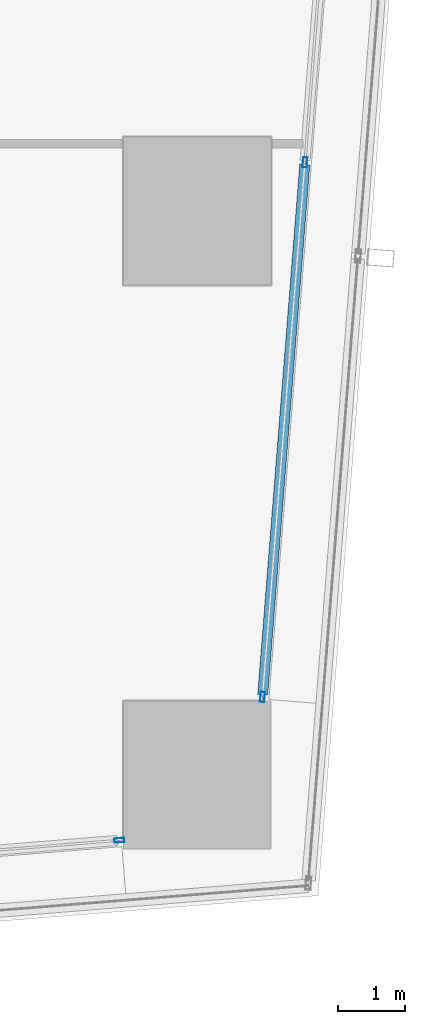
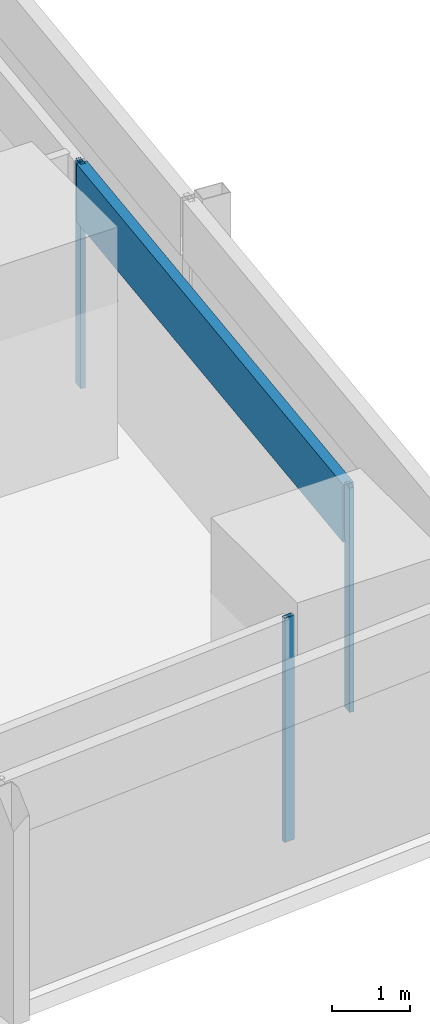
# One storey, part 10 of 42: 4 members, 2 elements without a shape of their own.
"""IFC4 building model written with IfcOpenShell, lengths in metres."""

from ifc_helpers import new_model, si_unit, direction, frame, origin, origin_2d, place, context, subcontext, project, spatial, hollow_rectangle, extrude, material, material_profile, profile_set, type_object, element, aggregate, save


model = new_model("IFC4")

# Units and contexts
model_context = context("Model", 3, precision=1e-05, world=origin(), true_north=direction((0.0, 1.0)))
body_context = subcontext(model_context, "Body", "Model", "MODEL_VIEW")
ifc_project = project(units=[si_unit("LENGTHUNIT", "METRE"), si_unit("AREAUNIT", "SQUARE_METRE"), si_unit("VOLUMEUNIT", "CUBIC_METRE"), si_unit("PLANEANGLEUNIT", "RADIAN"), si_unit("MASSUNIT", "GRAM", prefix="KILO")], contexts=[model_context])

# Site, building, storey
site_placement = place(None, origin())
site = spatial("IfcSite", under=ifc_project, at=site_placement, CompositionType="ELEMENT")
building_placement = place(site_placement, origin())
building = spatial("IfcBuilding", under=site, at=building_placement, Name="Rekha Terrace Tower", CompositionType="ELEMENT")
storey_placement = place(building_placement, frame((0.0, 0.0, 55.39990234375)))
storey = spatial("IfcBuildingStorey", under=building, at=storey_placement, Name="L13", CompositionType="ELEMENT", Elevation=55.39990234375)

# Curtain wall, member
ifc_material_1 = material(Name="Aluminium framing", Category="aluminium")
curtain_wall_type = type_object("IfcCurtainWallType", Name="CW1 double skin inner glazing", PredefinedType="USERDEFINED", material=ifc_material_1)
curtain_wall_1_placement = place(storey_placement, origin())
curtain_wall_1 = element("IfcCurtainWall", 1, at=curtain_wall_1_placement, inside=storey, type_object=curtain_wall_type, Name="CW1 double skin inner glazing", ObjectType="DOUBLE SKIN INNER GLAZING", PredefinedType="USERDEFINED")
ifc_material_2 = material(Name="Aluminium mullion section", Category="aluminium")
ifc_material_profile_1 = material_profile(ifc_material_2, hollow_rectangle(XDim=0.06494140625, YDim=0.14990234375, WallThickness=0.00390625, at=origin_2d()), Name="AL RHS 65x150")
ifc_profile_set_1 = profile_set([ifc_material_profile_1], Name="Aluminium mullion section")
member_type_1 = type_object("IfcMemberType", Name="CW1 mullion RHS 65 x 150", PredefinedType="MULLION", material=ifc_profile_set_1)
member_1_placement = place(storey_placement, frame((66.0400390625, 7.42626953125, 0.0), z_axis=(0.0, 0.0, 1.0), x_axis=(-0.079872204468, 0.996805111821, 0.0)))
member_1 = element("IfcMember", 2, at=member_1_placement, type_object=member_type_1, Name="CW1 mullion 3", PredefinedType="MULLION", context=body_context, shape_type="SweptSolid", body=[
    extrude(hollow_rectangle(XDim=0.06494140625, YDim=0.14990234375, WallThickness=0.00390625, at=origin_2d()), origin(), (0.0, 0.0, 1.0), 3.5),
])
aggregate(curtain_wall_1, [member_1])

# Curtain wall, members
curtain_wall_2_placement = place(storey_placement, origin())
curtain_wall_2 = element("IfcCurtainWall", 3, at=curtain_wall_2_placement, inside=storey, type_object=curtain_wall_type, Name="CW1 double skin inner glazing", ObjectType="DOUBLE SKIN INNER GLAZING", PredefinedType="USERDEFINED")
member_2_placement = place(storey_placement, frame((68.171630859375, 9.559814453125, 0.0), z_axis=(0.0, 0.0, 1.0), x_axis=(-0.996865392576, 0.079116301, 0.0)))
member_2 = element("IfcMember", 4, at=member_2_placement, type_object=member_type_1, Name="CW1 mullion 1", PredefinedType="MULLION", context=body_context, shape_type="SweptSolid", body=[
    extrude(hollow_rectangle(XDim=0.06494140625, YDim=0.14990234375, WallThickness=0.00390625, at=origin_2d()), origin(), (0.0, 0.0, 1.0), 3.5),
])
member_3_placement = place(storey_placement, frame((68.8037109375, 17.5234375, 0.0), z_axis=(0.0, 0.0, 1.0), x_axis=(-0.996865392576, 0.079116301, 0.0)))
member_3 = element("IfcMember", 5, at=member_3_placement, type_object=member_type_1, Name="CW1 mullion 2", PredefinedType="MULLION", context=body_context, shape_type="SweptSolid", body=[
    extrude(hollow_rectangle(XDim=0.06494140625, YDim=0.14990234375, WallThickness=0.00390625, at=origin_2d()), origin(), (0.0, 0.0, 1.0), 3.5),
])
ifc_material_3 = material(Name="Insulated aluminium spandrel box", Category="aluminium")
ifc_material_profile_2 = material_profile(ifc_material_3, hollow_rectangle(XDim=0.14990234375, YDim=0.89990234375, WallThickness=0.0029296875, at=origin_2d()), Name="AL SPANDREL BOX 150x900")
ifc_profile_set_2 = profile_set([ifc_material_profile_2], Name="Insulated aluminium spandrel box")
member_type_2 = type_object("IfcMemberType", Name="CW1 spandrel transom 150 x 900", PredefinedType="USERDEFINED", material=ifc_profile_set_2)
member_4_placement = place(storey_placement, frame((68.174072265625, 9.59228515625, 3.050048828125), z_axis=(0.079125535375, 0.996864659646, 0.0), x_axis=(-0.996864659646, 0.079125535375, 0.0)))
member_4 = element("IfcMember", 6, at=member_4_placement, type_object=member_type_2, Name="CW1 spandrel transom 1", ObjectType="TRANSOM", PredefinedType="USERDEFINED", context=body_context, shape_type="SweptSolid", body=[
    extrude(hollow_rectangle(XDim=0.14990234375, YDim=0.89990234375, WallThickness=0.0029296875, at=origin_2d()), origin(), (0.0, 0.0, 1.0), 7.923583984375),
])
aggregate(curtain_wall_2, [member_2, member_3, member_4])

save(model, "model.ifc")
